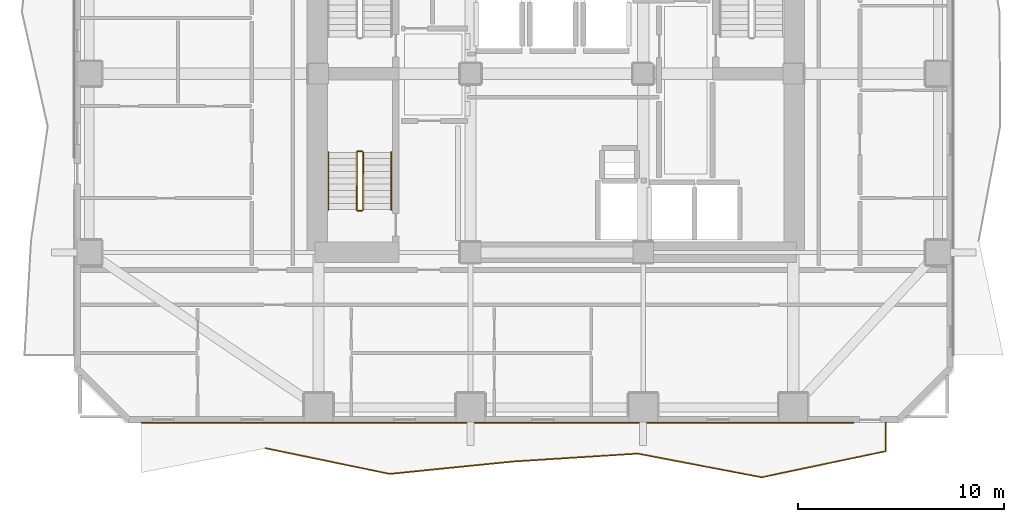
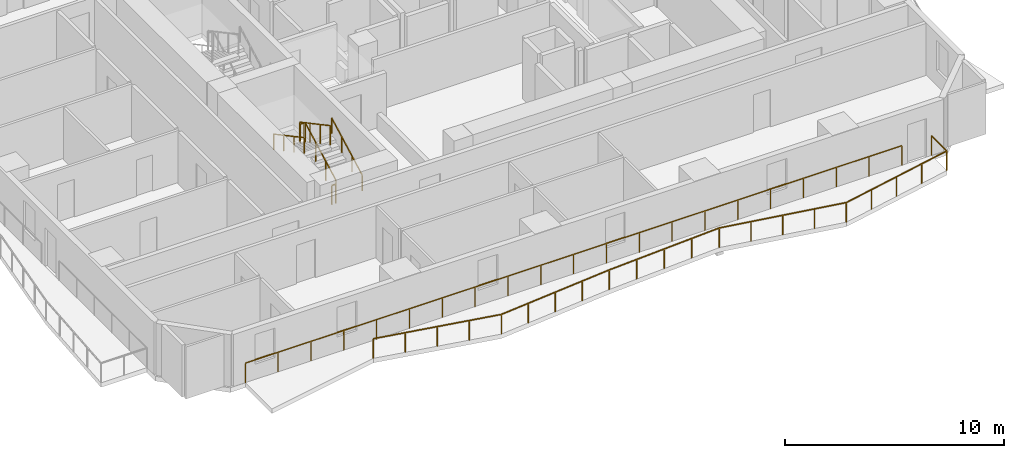
# One storey, part 7 of 10: 8 railings.
"""IFC4 building model written with IfcOpenShell, lengths in metres."""

from ifc_helpers import new_model, si_unit, direction, frame, origin, origin_2d, place, context, subcontext, project, spatial, rectangle, extrude, material, type_object, element, save


model = new_model("IFC4")

# Units and contexts
model_context = context("Model", 3, precision=1e-05, world=origin(), true_north=direction((0.0, 1.0)))
body_context = subcontext(model_context, "Body", "Model", "MODEL_VIEW")
ifc_project = project(units=[si_unit("LENGTHUNIT", "METRE"), si_unit("AREAUNIT", "SQUARE_METRE"), si_unit("VOLUMEUNIT", "CUBIC_METRE"), si_unit("PLANEANGLEUNIT", "RADIAN"), si_unit("MASSUNIT", "GRAM", prefix="KILO")], contexts=[model_context])

# Site, building, storey
site_placement = place(None, origin())
site = spatial("IfcSite", under=ifc_project, at=site_placement, CompositionType="ELEMENT")
building_placement = place(site_placement, origin())
building = spatial("IfcBuilding", under=site, at=building_placement, Name="Solanera Arch Residences", CompositionType="ELEMENT")
storey_placement = place(building_placement, frame((0.0, 0.0, 102.760009765625)))
storey = spatial("IfcBuildingStorey", under=building, at=storey_placement, Name="L29", CompositionType="ELEMENT", Elevation=102.760009765625)

# Railings
ifc_material_1 = material(Name="Steel S355 (ASTM A992 / A572 Grade 50)", Category="steel")
railing_type_1 = type_object("IfcRailingType", Name="Balustrade Railing BL-1100", PredefinedType="BALUSTRADE", material=ifc_material_1)
railing_1_placement = place(storey_placement, frame((10.8330078125, 12.468017578125, 0.0)))
element("IfcRailing", 1, at=railing_1_placement, inside=storey, type_object=railing_type_1, Name="L29 S Balcony Balustrade 1", PredefinedType="BALUSTRADE", context=body_context, shape_type="SweptSolid", body=[
    extrude(rectangle(XDim=0.048095703125, YDim=0.048095703125, at=origin_2d()), frame((0.0, 0.0, 1.09619140625), z_axis=(0.979271803237, -0.20255057488, 0.0), x_axis=(0.20255057488, 0.979271803237, 0.0)), (0.0, 0.0, 1.0), 6.16162109375),
    extrude(rectangle(XDim=0.048095703125, YDim=0.048095703125, at=origin_2d()), frame((6.033935546875, -1.248046875, 1.09619140625), z_axis=(0.995009643827, 0.09977879881, 0.0), x_axis=(-0.09977879881, 0.995009643827, 0.0)), (0.0, 0.0, 1.0), 6.063232421875),
    extrude(rectangle(XDim=0.048095703125, YDim=0.048095703125, at=origin_2d()), frame((12.06689453125, -0.64306640625, 1.09619140625), z_axis=(0.998000695488, 0.063202941423, 0.0), x_axis=(-0.063202941423, 0.998000695488, 0.0)), (0.0, 0.0, 1.0), 6.04541015625),
    extrude(rectangle(XDim=0.048095703125, YDim=0.048095703125, at=origin_2d()), frame((18.10009765625, -0.260986328125, 1.09619140625), z_axis=(0.982255330323, -0.187548569848, 0.0), x_axis=(0.187548569848, 0.982255330323, 0.0)), (0.0, 0.0, 1.0), 6.142822265625),
    extrude(rectangle(XDim=0.048095703125, YDim=0.048095703125, at=origin_2d()), frame((24.134033203125, -1.4130859375, 1.09619140625), z_axis=(0.978616123426, 0.205695121406, 0.0), x_axis=(-0.205695121406, 0.978616123426, 0.0)), (0.0, 0.0, 1.0), 6.164794921875),
    extrude(rectangle(XDim=0.048095703125, YDim=0.048095703125, at=origin_2d()), frame((30.1669921875, -0.14501953125, 1.09619140625), z_axis=(0.0, 1.0, 0.0), x_axis=(-1.0, 0.0, 0.0)), (0.0, 0.0, 1.0), 1.39697265625),
    extrude(rectangle(XDim=0.0419921875, YDim=0.0419921875, at=origin_2d()), origin(), (0.0, 0.0, 1.0), 1.072021484375),
    extrude(rectangle(XDim=0.0419921875, YDim=0.0419921875, at=origin_2d()), frame((1.508544921875, -0.31201171875, 0.0)), (0.0, 0.0, 1.0), 1.072021484375),
    extrude(rectangle(XDim=0.0419921875, YDim=0.0419921875, at=origin_2d()), frame((3.01708984375, -0.6240234375, 0.0)), (0.0, 0.0, 1.0), 1.072021484375),
    extrude(rectangle(XDim=0.0419921875, YDim=0.0419921875, at=origin_2d()), frame((4.525390625, -0.93603515625, 0.0)), (0.0, 0.0, 1.0), 1.072021484375),
    extrude(rectangle(XDim=0.0419921875, YDim=0.0419921875, at=origin_2d()), frame((6.033935546875, -1.248046875, 0.0)), (0.0, 0.0, 1.0), 1.072021484375),
    extrude(rectangle(XDim=0.0419921875, YDim=0.0419921875, at=origin_2d()), frame((7.542236328125, -1.0966796875, 0.0)), (0.0, 0.0, 1.0), 1.072021484375),
    extrude(rectangle(XDim=0.0419921875, YDim=0.0419921875, at=origin_2d()), frame((9.05029296875, -0.945556640625, 0.0)), (0.0, 0.0, 1.0), 1.072021484375),
    extrude(rectangle(XDim=0.0419921875, YDim=0.0419921875, at=origin_2d()), frame((10.55859375, -0.79443359375, 0.0)), (0.0, 0.0, 1.0), 1.072021484375),
    extrude(rectangle(XDim=0.0419921875, YDim=0.0419921875, at=origin_2d()), frame((12.06689453125, -0.64306640625, 0.0)), (0.0, 0.0, 1.0), 1.072021484375),
    extrude(rectangle(XDim=0.0419921875, YDim=0.0419921875, at=origin_2d()), frame((13.5751953125, -0.547607421875, 0.0)), (0.0, 0.0, 1.0), 1.072021484375),
    extrude(rectangle(XDim=0.0419921875, YDim=0.0419921875, at=origin_2d()), frame((15.08349609375, -0.4521484375, 0.0)), (0.0, 0.0, 1.0), 1.072021484375),
    extrude(rectangle(XDim=0.0419921875, YDim=0.0419921875, at=origin_2d()), frame((16.591796875, -0.3564453125, 0.0)), (0.0, 0.0, 1.0), 1.072021484375),
    extrude(rectangle(XDim=0.0419921875, YDim=0.0419921875, at=origin_2d()), frame((18.10009765625, -0.260986328125, 0.0)), (0.0, 0.0, 1.0), 1.072021484375),
    extrude(rectangle(XDim=0.0419921875, YDim=0.0419921875, at=origin_2d()), frame((19.608642578125, -0.549072265625, 0.0)), (0.0, 0.0, 1.0), 1.072021484375),
    extrude(rectangle(XDim=0.0419921875, YDim=0.0419921875, at=origin_2d()), frame((21.1171875, -0.8369140625, 0.0)), (0.0, 0.0, 1.0), 1.072021484375),
    extrude(rectangle(XDim=0.0419921875, YDim=0.0419921875, at=origin_2d()), frame((22.62548828125, -1.125, 0.0)), (0.0, 0.0, 1.0), 1.072021484375),
    extrude(rectangle(XDim=0.0419921875, YDim=0.0419921875, at=origin_2d()), frame((24.134033203125, -1.4130859375, 0.0)), (0.0, 0.0, 1.0), 1.072021484375),
    extrude(rectangle(XDim=0.0419921875, YDim=0.0419921875, at=origin_2d()), frame((25.642333984375, -1.09619140625, 0.0)), (0.0, 0.0, 1.0), 1.072021484375),
    extrude(rectangle(XDim=0.0419921875, YDim=0.0419921875, at=origin_2d()), frame((27.150390625, -0.779052734375, 0.0)), (0.0, 0.0, 1.0), 1.072021484375),
    extrude(rectangle(XDim=0.0419921875, YDim=0.0419921875, at=origin_2d()), frame((28.65869140625, -0.4619140625, 0.0)), (0.0, 0.0, 1.0), 1.072021484375),
    extrude(rectangle(XDim=0.0419921875, YDim=0.0419921875, at=origin_2d()), frame((30.1669921875, -0.14501953125, 0.0)), (0.0, 0.0, 1.0), 1.072021484375),
    extrude(rectangle(XDim=0.0419921875, YDim=0.0419921875, at=origin_2d()), frame((30.1669921875, 1.251953125, 0.0)), (0.0, 0.0, 1.0), 1.072021484375),
])
railing_2_placement = place(storey_placement, frame((39.43408203125, 13.719970703125, 0.0)))
element("IfcRailing", 2, at=railing_2_placement, inside=storey, type_object=railing_type_1, Name="L29 S Balcony Balustrade 2", PredefinedType="BALUSTRADE", context=body_context, shape_type="SweptSolid", body=[
    extrude(rectangle(XDim=0.048095703125, YDim=0.048095703125, at=origin_2d()), frame((0.0, 0.0, 1.09619140625), z_axis=(-1.0, 0.0, 0.0), x_axis=(0.0, -1.0, 0.0)), (0.0, 0.0, 1.0), 34.634033203125),
    extrude(rectangle(XDim=0.0419921875, YDim=0.0419921875, at=origin_2d()), origin(), (0.0, 0.0, 1.0), 1.072021484375),
    extrude(rectangle(XDim=0.0419921875, YDim=0.0419921875, at=origin_2d()), frame((-1.731689453125, 0.0, 0.0)), (0.0, 0.0, 1.0), 1.072021484375),
    extrude(rectangle(XDim=0.0419921875, YDim=0.0419921875, at=origin_2d()), frame((-3.46337890625, 0.0, 0.0)), (0.0, 0.0, 1.0), 1.072021484375),
    extrude(rectangle(XDim=0.0419921875, YDim=0.0419921875, at=origin_2d()), frame((-5.195068359375, 0.0, 0.0)), (0.0, 0.0, 1.0), 1.072021484375),
    extrude(rectangle(XDim=0.0419921875, YDim=0.0419921875, at=origin_2d()), frame((-6.9267578125, 0.0, 0.0)), (0.0, 0.0, 1.0), 1.072021484375),
    extrude(rectangle(XDim=0.0419921875, YDim=0.0419921875, at=origin_2d()), frame((-8.658447265625, 0.0, 0.0)), (0.0, 0.0, 1.0), 1.072021484375),
    extrude(rectangle(XDim=0.0419921875, YDim=0.0419921875, at=origin_2d()), frame((-10.39013671875, 0.0, 0.0)), (0.0, 0.0, 1.0), 1.072021484375),
    extrude(rectangle(XDim=0.0419921875, YDim=0.0419921875, at=origin_2d()), frame((-12.121826171875, 0.0, 0.0)), (0.0, 0.0, 1.0), 1.072021484375),
    extrude(rectangle(XDim=0.0419921875, YDim=0.0419921875, at=origin_2d()), frame((-13.853515625, 0.0, 0.0)), (0.0, 0.0, 1.0), 1.072021484375),
    extrude(rectangle(XDim=0.0419921875, YDim=0.0419921875, at=origin_2d()), frame((-15.585205078125, 0.0, 0.0)), (0.0, 0.0, 1.0), 1.072021484375),
    extrude(rectangle(XDim=0.0419921875, YDim=0.0419921875, at=origin_2d()), frame((-17.31689453125, 0.0, 0.0)), (0.0, 0.0, 1.0), 1.072021484375),
    extrude(rectangle(XDim=0.0419921875, YDim=0.0419921875, at=origin_2d()), frame((-19.048828125, 0.0, 0.0)), (0.0, 0.0, 1.0), 1.072021484375),
    extrude(rectangle(XDim=0.0419921875, YDim=0.0419921875, at=origin_2d()), frame((-20.780517578125, 0.0, 0.0)), (0.0, 0.0, 1.0), 1.072021484375),
    extrude(rectangle(XDim=0.0419921875, YDim=0.0419921875, at=origin_2d()), frame((-22.51220703125, 0.0, 0.0)), (0.0, 0.0, 1.0), 1.072021484375),
    extrude(rectangle(XDim=0.0419921875, YDim=0.0419921875, at=origin_2d()), frame((-24.243896484375, 0.0, 0.0)), (0.0, 0.0, 1.0), 1.072021484375),
    extrude(rectangle(XDim=0.0419921875, YDim=0.0419921875, at=origin_2d()), frame((-25.9755859375, 0.0, 0.0)), (0.0, 0.0, 1.0), 1.072021484375),
    extrude(rectangle(XDim=0.0419921875, YDim=0.0419921875, at=origin_2d()), frame((-27.707275390625, 0.0, 0.0)), (0.0, 0.0, 1.0), 1.072021484375),
    extrude(rectangle(XDim=0.0419921875, YDim=0.0419921875, at=origin_2d()), frame((-29.43896484375, 0.0, 0.0)), (0.0, 0.0, 1.0), 1.072021484375),
    extrude(rectangle(XDim=0.0419921875, YDim=0.0419921875, at=origin_2d()), frame((-31.170654296875, 0.0, 0.0)), (0.0, 0.0, 1.0), 1.072021484375),
    extrude(rectangle(XDim=0.0419921875, YDim=0.0419921875, at=origin_2d()), frame((-32.90234375, 0.0, 0.0)), (0.0, 0.0, 1.0), 1.072021484375),
    extrude(rectangle(XDim=0.0419921875, YDim=0.0419921875, at=origin_2d()), frame((-34.634033203125, 0.0, 0.0)), (0.0, 0.0, 1.0), 1.072021484375),
])
ifc_material_2 = material(Name="Steel S355 (ASTM A992 / A572 Grade 50)", Category="steel")
railing_type_2 = type_object("IfcRailingType", Name="Stair Guardrail GR-1100", PredefinedType="GUARDRAIL", material=ifc_material_2)
railing_3_placement = place(storey_placement, frame((15.570068359375, 24.080078125, 0.15087890625)))
element("IfcRailing", 3, at=railing_3_placement, inside=storey, type_object=railing_type_2, Name="L29 ST-T3 stair guard 1", PredefinedType="GUARDRAIL", context=body_context, shape_type="SweptSolid", body=[
    extrude(rectangle(XDim=0.048095703125, YDim=0.048095703125, at=origin_2d()), frame((0.0, 0.0, 1.076171875), z_axis=(0.0, 0.881548766853, 0.472092969298), x_axis=(-1.0, 0.0, 0.0)), (0.0, 0.0, 1.0), 3.1650390625),
    extrude(rectangle(XDim=0.0419921875, YDim=0.0419921875, at=origin_2d()), origin(), (0.0, 0.0, 1.0), 1.052001953125),
    extrude(rectangle(XDim=0.0419921875, YDim=0.0419921875, at=origin_2d()), frame((0.0, 0.929931640625, 0.498046875)), (0.0, 0.0, 1.0), 1.052001953125),
    extrude(rectangle(XDim=0.0419921875, YDim=0.0419921875, at=origin_2d()), frame((0.0, 1.860107421875, 0.99609375)), (0.0, 0.0, 1.0), 1.052001953125),
    extrude(rectangle(XDim=0.0419921875, YDim=0.0419921875, at=origin_2d()), frame((0.0, 2.7900390625, 1.494140625)), (0.0, 0.0, 1.0), 1.052001953125),
])
railing_4_placement = place(storey_placement, frame((15.52001953125, 26.919921875, 1.64501953125)))
element("IfcRailing", 4, at=railing_4_placement, inside=storey, type_object=railing_type_2, Name="L29 ST-T3 stair guard 2", PredefinedType="GUARDRAIL", context=body_context, shape_type="SweptSolid", body=[
    extrude(rectangle(XDim=0.048095703125, YDim=0.048095703125, at=origin_2d()), frame((0.0, 0.0, 1.076171875), z_axis=(-1.0, 0.0, 0.0), x_axis=(0.0, -1.0, 0.0)), (0.0, 0.0, 1.0), 0.199951171875),
    extrude(rectangle(XDim=0.0419921875, YDim=0.0419921875, at=origin_2d()), origin(), (0.0, 0.0, 1.0), 1.052001953125),
    extrude(rectangle(XDim=0.0419921875, YDim=0.0419921875, at=origin_2d()), frame((-0.199951171875, 0.0, 0.0)), (0.0, 0.0, 1.0), 1.052001953125),
])
railing_5_placement = place(storey_placement, frame((15.27001953125, 26.8701171875, 1.81103515625)))
element("IfcRailing", 5, at=railing_5_placement, inside=storey, type_object=railing_type_2, Name="L29 ST-T3 stair guard 3", PredefinedType="GUARDRAIL", context=body_context, shape_type="SweptSolid", body=[
    extrude(rectangle(XDim=0.048095703125, YDim=0.048095703125, at=origin_2d()), frame((0.0, 0.0, 1.076171875), z_axis=(0.0, -0.881580869306, 0.472033018838), x_axis=(1.0, 0.0, 0.0)), (0.0, 0.0, 1.0), 3.164794921875),
    extrude(rectangle(XDim=0.0419921875, YDim=0.0419921875, at=origin_2d()), origin(), (0.0, 0.0, 1.0), 1.052001953125),
    extrude(rectangle(XDim=0.0419921875, YDim=0.0419921875, at=origin_2d()), frame((0.0, -0.929931640625, 0.498046875)), (0.0, 0.0, 1.0), 1.052001953125),
    extrude(rectangle(XDim=0.0419921875, YDim=0.0419921875, at=origin_2d()), frame((0.0, -1.860107421875, 0.995849609375)), (0.0, 0.0, 1.0), 1.052001953125),
    extrude(rectangle(XDim=0.0419921875, YDim=0.0419921875, at=origin_2d()), frame((0.0, -2.7900390625, 1.493896484375)), (0.0, 0.0, 1.0), 1.052001953125),
])
railing_6_placement = place(storey_placement, frame((15.52001953125, 24.030029296875, -0.014892578125)))
element("IfcRailing", 6, at=railing_6_placement, inside=storey, type_object=railing_type_2, Name="L29 ST-T3 stair guard 4", PredefinedType="GUARDRAIL", context=body_context, shape_type="SweptSolid", body=[
    extrude(rectangle(XDim=0.048095703125, YDim=0.048095703125, at=origin_2d()), frame((0.0, 0.0, 1.076171875), z_axis=(-1.0, 0.0, 0.0), x_axis=(0.0, -1.0, 0.0)), (0.0, 0.0, 1.0), 0.199951171875),
    extrude(rectangle(XDim=0.0419921875, YDim=0.0419921875, at=origin_2d()), origin(), (0.0, 0.0, 1.0), 1.052001953125),
    extrude(rectangle(XDim=0.0419921875, YDim=0.0419921875, at=origin_2d()), frame((-0.199951171875, 0.0, 0.0)), (0.0, 0.0, 1.0), 1.052001953125),
])
ifc_material_3 = material(Name="Steel S355 (ASTM A992 / A572 Grade 50)", Category="steel")
railing_type_3 = type_object("IfcRailingType", Name="Stair Wall Handrail HR-920", PredefinedType="HANDRAIL", material=ifc_material_3)
railing_7_placement = place(storey_placement, frame((16.949951171875, 24.080078125, 0.166015625)))
element("IfcRailing", 7, at=railing_7_placement, inside=storey, type_object=railing_type_3, Name="L29 ST-T3 stair handrail 1", PredefinedType="HANDRAIL", context=body_context, shape_type="SweptSolid", body=[
    extrude(rectangle(XDim=0.048095703125, YDim=0.048095703125, at=origin_2d()), frame((0.0, 0.0, 0.8759765625), z_axis=(0.0, 0.881580869306, 0.472033018838), x_axis=(-1.0, 0.0, 0.0)), (0.0, 0.0, 1.0), 3.164794921875),
    extrude(rectangle(XDim=0.0419921875, YDim=0.0419921875, at=origin_2d()), origin(), (0.0, 0.0, 1.0), 0.851806640625),
    extrude(rectangle(XDim=0.0419921875, YDim=0.0419921875, at=origin_2d()), frame((0.0, 0.929931640625, 0.498046875)), (0.0, 0.0, 1.0), 0.851806640625),
    extrude(rectangle(XDim=0.0419921875, YDim=0.0419921875, at=origin_2d()), frame((0.0, 1.860107421875, 0.995849609375)), (0.0, 0.0, 1.0), 0.851806640625),
    extrude(rectangle(XDim=0.0419921875, YDim=0.0419921875, at=origin_2d()), frame((0.0, 2.7900390625, 1.493896484375)), (0.0, 0.0, 1.0), 0.851806640625),
])
railing_8_placement = place(storey_placement, frame((13.889892578125, 26.8701171875, 1.825927734375)))
element("IfcRailing", 8, at=railing_8_placement, inside=storey, type_object=railing_type_3, Name="L29 ST-T3 stair handrail 2", PredefinedType="HANDRAIL", context=body_context, shape_type="SweptSolid", body=[
    extrude(rectangle(XDim=0.048095703125, YDim=0.048095703125, at=origin_2d()), frame((0.0, 0.0, 0.8759765625), z_axis=(0.0, -0.881548766853, 0.472092969298), x_axis=(1.0, 0.0, 0.0)), (0.0, 0.0, 1.0), 3.1650390625),
    extrude(rectangle(XDim=0.0419921875, YDim=0.0419921875, at=origin_2d()), origin(), (0.0, 0.0, 1.0), 0.851806640625),
    extrude(rectangle(XDim=0.0419921875, YDim=0.0419921875, at=origin_2d()), frame((0.0, -0.929931640625, 0.498046875)), (0.0, 0.0, 1.0), 0.851806640625),
    extrude(rectangle(XDim=0.0419921875, YDim=0.0419921875, at=origin_2d()), frame((0.0, -1.860107421875, 0.99609375)), (0.0, 0.0, 1.0), 0.851806640625),
    extrude(rectangle(XDim=0.0419921875, YDim=0.0419921875, at=origin_2d()), frame((0.0, -2.7900390625, 1.494140625)), (0.0, 0.0, 1.0), 0.851806640625),
])

save(model, "model.ifc")
